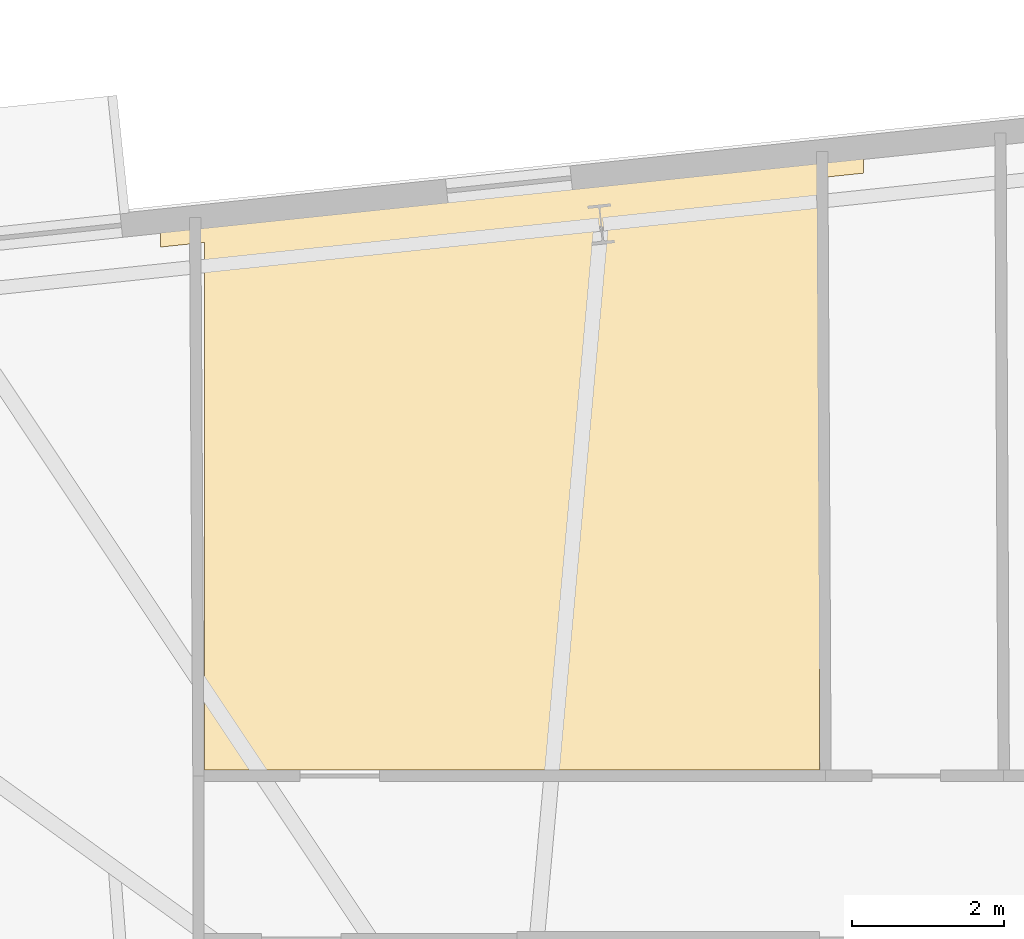
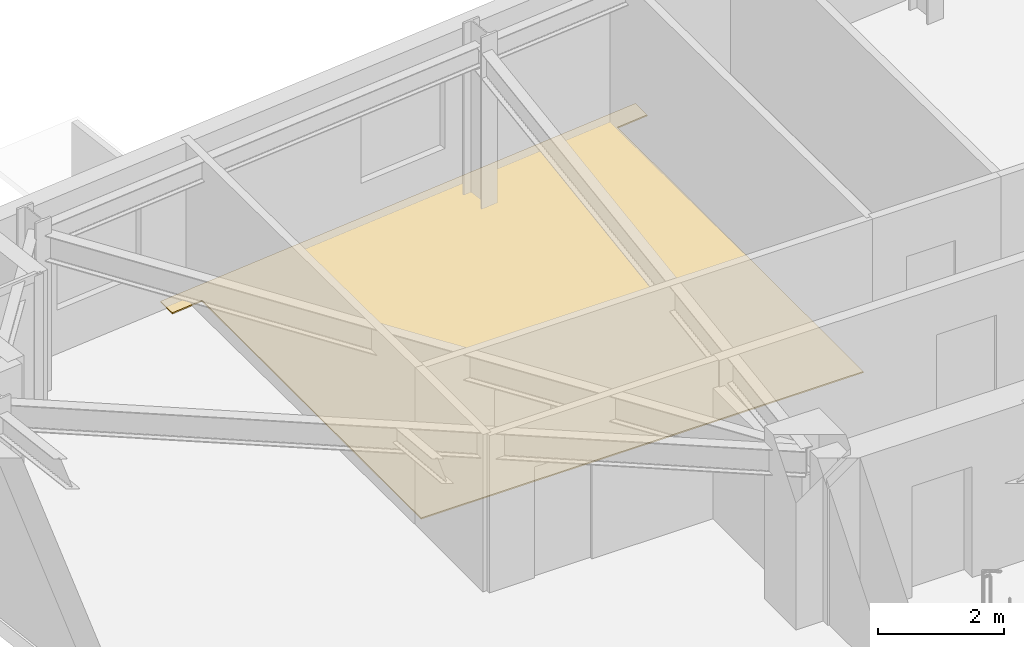
# One storey, part 19 of 19: 1 covering.
"""IFC4 building model written with IfcOpenShell, lengths in metres."""

from ifc_helpers import new_model, si_unit, direction, frame, origin, place, context, subcontext, project, spatial, polyline, outline, extrude, material, layer, layer_set, type_object, element, save


model = new_model("IFC4")

# Units and contexts
model_context = context("Model", 3, precision=1e-05, world=origin(), true_north=direction((0.0, 1.0)))
body_context = subcontext(model_context, "Body", "Model", "MODEL_VIEW")
ifc_project = project(units=[si_unit("LENGTHUNIT", "METRE"), si_unit("AREAUNIT", "SQUARE_METRE"), si_unit("VOLUMEUNIT", "CUBIC_METRE"), si_unit("PLANEANGLEUNIT", "RADIAN"), si_unit("MASSUNIT", "GRAM", prefix="KILO")], contexts=[model_context])

# Site, building, storey
site_placement = place(None, origin())
site = spatial("IfcSite", under=ifc_project, at=site_placement, CompositionType="ELEMENT")
building_placement = place(site_placement, origin())
building = spatial("IfcBuilding", under=site, at=building_placement, Name="Qobustan Lattice House", CompositionType="ELEMENT")
storey_placement = place(building_placement, frame((0.0, 0.0, 115.85009765625)))
storey = spatial("IfcBuildingStorey", under=building, at=storey_placement, Name="L32", CompositionType="ELEMENT", Elevation=115.85009765625)

# Covering
ifc_material = material(Name="Honed Absheron stone terrazzo flooring", Category="masonry")
ifc_layer = layer(ifc_material, 0.02490234375)
ifc_layer_set = layer_set([ifc_layer], Name="Honed Absheron stone terrazzo flooring")
covering_type = type_object("IfcCoveringType", Name="COV-TERRAZZO-FLR", PredefinedType="FLOORING", material=ifc_layer_set)
covering_placement = place(storey_placement, origin())
element("IfcCovering", 1, at=covering_placement, inside=storey, type_object=covering_type, Name="L32 Focus study room N1 stone terrazzo flooring", PredefinedType="FLOORING", context=body_context, shape_type="SweptSolid", body=[
    extrude(outline(polyline([(-14.23291015625, 18.968994140625), (-23.5, 17.9951171875), (-23.5, 17.623046875), (-22.919921875, 17.683837890625), (-22.919921875, 10.72998046875), (-14.81298828125, 10.72998046875), (-14.81298828125, 18.535888671875), (-14.23291015625, 18.596923828125), (-14.23291015625, 18.968994140625)])), origin(), (0.0, 0.0, 1.0), 0.02490234375),
])

save(model, "model.ifc")
